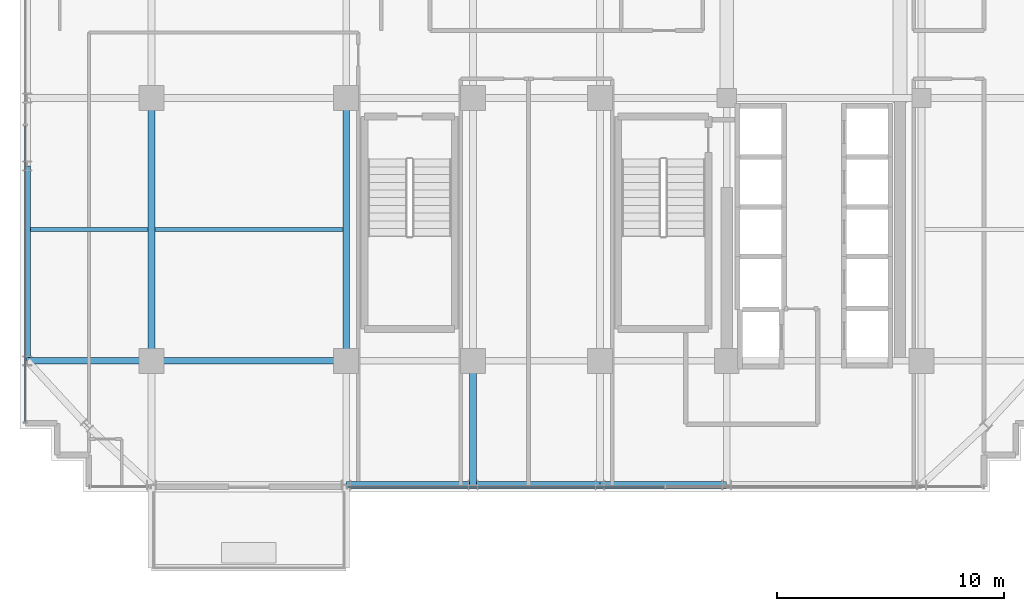
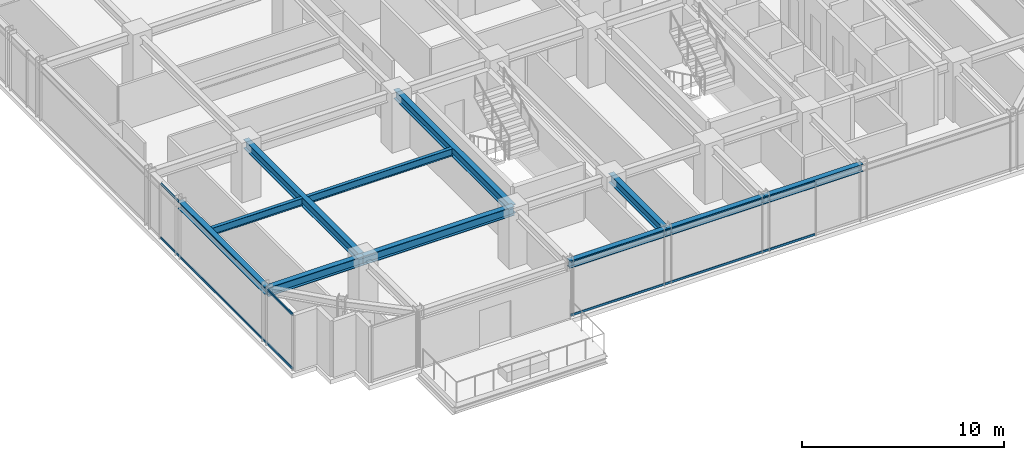
# One storey, part 4 of 31: 11 beams, 4 members, 2 elements without a shape of their own.
"""IFC4 building model written with IfcOpenShell, lengths in metres."""

from ifc_helpers import new_model, si_unit, direction, frame, origin, origin_2d, place, context, subcontext, project, spatial, hollow_rectangle, i_section, extrude, source, transform, mapped, material, material_profile, profile_set, type_object, element, aggregate, save


model = new_model("IFC4")

# Units and contexts
model_context = context("Model", 3, precision=1e-05, world=origin(), true_north=direction((0.0, 1.0)))
body_context = subcontext(model_context, "Body", "Model", "MODEL_VIEW")
ifc_project = project(units=[si_unit("LENGTHUNIT", "METRE"), si_unit("AREAUNIT", "SQUARE_METRE"), si_unit("VOLUMEUNIT", "CUBIC_METRE"), si_unit("PLANEANGLEUNIT", "RADIAN"), si_unit("MASSUNIT", "GRAM", prefix="KILO")], contexts=[model_context])

# Site, building, storey
site_placement = place(None, origin())
site = spatial("IfcSite", under=ifc_project, at=site_placement, CompositionType="ELEMENT")
building_placement = place(site_placement, origin())
building = spatial("IfcBuilding", under=site, at=building_placement, Name="Nahalor Promenade Grand Hotel", CompositionType="ELEMENT")
storey_placement = place(building_placement, frame((0.0, 0.0, 192.800048828125)))
storey = spatial("IfcBuildingStorey", under=building, at=storey_placement, Name="L49", CompositionType="ELEMENT", Elevation=192.800048828125)

# Beams
ifc_material_1 = material(Name="Steel S355JR", Category="steel")
ifc_material_profile_1 = material_profile(ifc_material_1, i_section(OverallWidth=0.3, OverallDepth=0.55, WebThickness=0.015, FlangeThickness=0.029, at=origin_2d()), Name="HEB 550")
ifc_profile_set_1 = profile_set([ifc_material_profile_1], Name="Steel S355JR")
beam_type_1 = type_object("IfcBeamType", Name="Beam-Girder-HEB550", PredefinedType="BEAM", material=ifc_profile_set_1)
shared_shape_1 = source(origin(), body_context, "Body", "SweptSolid", [
    extrude(i_section(OverallWidth=0.3, OverallDepth=0.55, WebThickness=0.015, FlangeThickness=0.029, at=origin_2d()), origin(), (0.0, 0.0, 1.0), 8.60009765625),
])
beam_1_placement = place(storey_placement, frame((-17.0, -17.0, 3.114990234375), z_axis=(1.0, 0.0, 0.0), x_axis=(0.0, 1.0, 0.0)))
element("IfcBeam", 1, at=beam_1_placement, inside=storey, type_object=beam_type_1, Name="BM-L49-GX-0-1", PredefinedType="BEAM", context=body_context, shape_type="MappedRepresentation", body=[
    mapped(shared_shape_1, transform((0.0, 0.0, 0.0), scale=1.0)),
])
shared_shape_2 = source(origin(), body_context, "Body", "SweptSolid", [
    extrude(i_section(OverallWidth=0.3, OverallDepth=0.55, WebThickness=0.015, FlangeThickness=0.029, at=origin_2d()), origin(), (0.0, 0.0, 1.0), 11.60009765625),
])
for number, where, z_axis, x_axis, name in (
    (2, (-17.0, -17.0, 3.114990234375), (0.0, 1.0, 0.0), (-1.0, 0.0, 0.0), "BM-L49-GY-0-1"),
    (3, (-8.39990234375, -17.0, 3.114990234375), (0.0, 1.0, 0.0), (-1.0, 0.0, 0.0), "BM-L49-GY-1-1"),
):
    element("IfcBeam", number, at=place(storey_placement, frame(where, z_axis=z_axis, x_axis=x_axis)), inside=storey, type_object=beam_type_1, Name=name, PredefinedType="BEAM", context=body_context, shape_type="MappedRepresentation", body=[
        mapped(shared_shape_2, transform((0.0, 0.0, 0.0), scale=1.0)),
    ])
ifc_material_profile_2 = material_profile(ifc_material_1, i_section(OverallWidth=0.19, OverallDepth=0.45, WebThickness=0.0094, FlangeThickness=0.0146, at=origin_2d()), Name="IPE 450")
ifc_profile_set_2 = profile_set([ifc_material_profile_2], Name="Steel S355JR")
beam_type_2 = type_object("IfcBeamType", Name="Beam-Joist-IPE450", PredefinedType="JOIST", material=ifc_profile_set_2)
shared_shape_3 = source(origin(), body_context, "Body", "SweptSolid", [
    extrude(i_section(OverallWidth=0.19, OverallDepth=0.45, WebThickness=0.0094, FlangeThickness=0.0146, at=origin_2d()), origin(), (0.0, 0.0, 1.0), 8.300048828125),
])
beam_2_placement = place(storey_placement, frame((-16.85009765625, -11.199951171875, 3.1650390625), z_axis=(1.0, 0.0, 0.0), x_axis=(0.0, 1.0, 0.0)))
element("IfcBeam", 4, at=beam_2_placement, inside=storey, type_object=beam_type_2, Name="BM-L49-JSW-0-1", PredefinedType="JOIST", context=body_context, shape_type="MappedRepresentation", body=[
    mapped(shared_shape_3, transform((0.0, 0.0, 0.0), scale=1.0)),
])
shared_shape_4 = source(origin(), body_context, "Body", "SweptSolid", [
    extrude(i_section(OverallWidth=0.3, OverallDepth=0.55, WebThickness=0.015, FlangeThickness=0.029, at=origin_2d()), origin(), (0.0, 0.0, 1.0), 5.47998046875),
])
for number, where, z_axis, x_axis, name in (
    (5, (-22.47998046875, -17.0, 3.114990234375), (1.0, 0.0, 0.0), (0.0, 1.0, 0.0), "BM-L49-GX-0-0"),
    (6, (-2.800048828125, -22.47998046875, 3.114990234375), (0.0, 1.0, 0.0), (-1.0, 0.0, 0.0), "BM-L49-GY-2-0"),
):
    element("IfcBeam", number, at=place(storey_placement, frame(where, z_axis=z_axis, x_axis=x_axis)), inside=storey, type_object=beam_type_1, Name=name, PredefinedType="BEAM", context=body_context, shape_type="MappedRepresentation", body=[
        mapped(shared_shape_4, transform((0.0, 0.0, 0.0), scale=1.0)),
    ])
shared_shape_5 = source(origin(), body_context, "Body", "SweptSolid", [
    extrude(i_section(OverallWidth=0.19, OverallDepth=0.45, WebThickness=0.0094, FlangeThickness=0.0146, at=origin_2d()), origin(), (0.0, 0.0, 1.0), 5.18017578125),
])
beam_3_placement = place(storey_placement, frame((-22.330078125, -11.199951171875, 3.1650390625), z_axis=(1.0, 0.0, 0.0), x_axis=(0.0, 1.0, 0.0)))
element("IfcBeam", 7, at=beam_3_placement, inside=storey, type_object=beam_type_2, Name="BM-L49-JSW-0-0", PredefinedType="JOIST", context=body_context, shape_type="MappedRepresentation", body=[
    mapped(shared_shape_5, transform((0.0, 0.0, 0.0), scale=1.0)),
])
ifc_material_profile_3 = material_profile(ifc_material_1, i_section(OverallWidth=0.3, OverallDepth=0.45, WebThickness=0.014, FlangeThickness=0.026, at=origin_2d()), Name="HEB 450")
ifc_profile_set_3 = profile_set([ifc_material_profile_3], Name="Steel S355JR")
beam_type_3 = type_object("IfcBeamType", Name="Beam-Spandrel-HEB450", PredefinedType="SPANDREL", material=ifc_profile_set_3)
shared_shape_6 = source(origin(), body_context, "Body", "SweptSolid", [
    extrude(i_section(OverallWidth=0.3, OverallDepth=0.45, WebThickness=0.014, FlangeThickness=0.026, at=origin_2d()), origin(), (0.0, 0.0, 1.0), 8.60009765625),
])
beam_4_placement = place(storey_placement, frame((-22.47998046875, -17.0, 3.1650390625), z_axis=(0.0, 1.0, 0.0), x_axis=(-1.0, 0.0, 0.0)))
element("IfcBeam", 8, at=beam_4_placement, inside=storey, type_object=beam_type_3, Name="BM-L49-SP-W-0", PredefinedType="SPANDREL", context=body_context, shape_type="MappedRepresentation", body=[
    mapped(shared_shape_6, transform((0.0, 0.0, 0.0), scale=1.0)),
])
shared_shape_7 = source(origin(), body_context, "Body", "SweptSolid", [
    extrude(i_section(OverallWidth=0.3, OverallDepth=0.45, WebThickness=0.014, FlangeThickness=0.026, at=origin_2d()), origin(), (0.0, 0.0, 1.0), 5.599853515625),
])
for number, where, z_axis, x_axis, name in (
    (9, (-8.39990234375, -22.47998046875, 3.1650390625), (1.0, 0.0, 0.0), (0.0, 1.0, 0.0), "BM-L49-SP-S-1"),
    (10, (2.800048828125, -22.47998046875, 3.1650390625), (1.0, 0.0, 0.0), (0.0, 1.0, 0.0), "BM-L49-SP-S-3"),
):
    element("IfcBeam", number, at=place(storey_placement, frame(where, z_axis=z_axis, x_axis=x_axis)), inside=storey, type_object=beam_type_3, Name=name, PredefinedType="SPANDREL", context=body_context, shape_type="MappedRepresentation", body=[
        mapped(shared_shape_7, transform((0.0, 0.0, 0.0), scale=1.0)),
    ])
shared_shape_8 = source(origin(), body_context, "Body", "SweptSolid", [
    extrude(i_section(OverallWidth=0.3, OverallDepth=0.45, WebThickness=0.014, FlangeThickness=0.026, at=origin_2d()), origin(), (0.0, 0.0, 1.0), 5.60009765625),
])
beam_5_placement = place(storey_placement, frame((-2.800048828125, -22.47998046875, 3.1650390625), z_axis=(1.0, 0.0, 0.0), x_axis=(0.0, 1.0, 0.0)))
element("IfcBeam", 11, at=beam_5_placement, inside=storey, type_object=beam_type_3, Name="BM-L49-SP-S-2", PredefinedType="SPANDREL", context=body_context, shape_type="MappedRepresentation", body=[
    mapped(shared_shape_8, transform((0.0, 0.0, 0.0), scale=1.0)),
])

# Curtain wall, members
ifc_material_2 = material(Name="Anodised Bronze Aluminium EN AW-6063 T6", Category="aluminium")
curtain_wall_type = type_object("IfcCurtainWallType", Name="CW2 Typical Hotel Flush Bronze Unitised Curtain Wall", PredefinedType="USERDEFINED", material=ifc_material_2)
curtain_wall_1_placement = place(storey_placement, origin())
curtain_wall_1 = element("IfcCurtainWall", 12, at=curtain_wall_1_placement, inside=storey, type_object=curtain_wall_type, Name="L49 Curtain Wall CW-L49-S-3", ObjectType="UNITISED_CURTAIN_WALL", PredefinedType="USERDEFINED")
ifc_material_profile_4 = material_profile(ifc_material_2, hollow_rectangle(XDim=0.065, YDim=0.13, WallThickness=0.004, at=origin_2d()), Name="CWT 65x130x4")
ifc_profile_set_4 = profile_set([ifc_material_profile_4], Name="Anodised Bronze Aluminium EN AW-6063 T6")
member_type = type_object("IfcMemberType", Name="CWT2 Typical Bronze Transom 65x130", PredefinedType="USERDEFINED", material=ifc_profile_set_4)
shared_shape_9 = source(origin(), body_context, "Body", "SweptSolid", [
    extrude(hollow_rectangle(XDim=0.065, YDim=0.13, WallThickness=0.004, at=origin_2d()), origin(), (0.0, 0.0, 1.0), 13.982421875),
])
member_1_placement = place(storey_placement, frame((-8.3349609375, -22.56005859375, 0.06494140625), z_axis=(1.0, 0.0, 0.0), x_axis=(0.0, 1.0, 0.0)))
member_1 = element("IfcMember", 13, at=member_1_placement, type_object=member_type, Name="CW-L49-S-3 Transom 0-0", ObjectType="TRANSOM", PredefinedType="USERDEFINED", context=body_context, shape_type="MappedRepresentation", body=[
    mapped(shared_shape_9, transform((0.0, 0.0, 0.0), scale=1.0)),
])
member_2_placement = place(storey_placement, frame((-8.3349609375, -22.56005859375, 3.324951171875), z_axis=(1.0, 0.0, 0.0), x_axis=(0.0, 1.0, 0.0)))
member_2 = element("IfcMember", 14, at=member_2_placement, type_object=member_type, Name="CW-L49-S-3 Transom 0-1", ObjectType="TRANSOM", PredefinedType="USERDEFINED", context=body_context, shape_type="MappedRepresentation", body=[
    mapped(shared_shape_9, transform((0.0, 0.0, 0.0), scale=1.0)),
])
aggregate(curtain_wall_1, [member_1, member_2])

curtain_wall_2_placement = place(storey_placement, origin())
curtain_wall_2 = element("IfcCurtainWall", 15, at=curtain_wall_2_placement, inside=storey, type_object=curtain_wall_type, Name="L49 Curtain Wall CW-L49-W-1", ObjectType="UNITISED_CURTAIN_WALL", PredefinedType="USERDEFINED")
shared_shape_10 = source(origin(), body_context, "Body", "SweptSolid", [
    extrude(hollow_rectangle(XDim=0.065, YDim=0.13, WallThickness=0.004, at=origin_2d()), origin(), (0.0, 0.0, 1.0), 13.075927734375),
])
member_3_placement = place(storey_placement, frame((-22.56005859375, -19.695068359375, 0.06494140625), z_axis=(0.0, 1.0, 0.0), x_axis=(-1.0, 0.0, 0.0)))
member_3 = element("IfcMember", 16, at=member_3_placement, type_object=member_type, Name="CW-L49-W-1 Transom 0-0", ObjectType="TRANSOM", PredefinedType="USERDEFINED", context=body_context, shape_type="MappedRepresentation", body=[
    mapped(shared_shape_10, transform((0.0, 0.0, 0.0), scale=1.0)),
])
member_4_placement = place(storey_placement, frame((-22.56005859375, -19.695068359375, 3.324951171875), z_axis=(0.0, 1.0, 0.0), x_axis=(-1.0, 0.0, 0.0)))
member_4 = element("IfcMember", 17, at=member_4_placement, type_object=member_type, Name="CW-L49-W-1 Transom 0-1", ObjectType="TRANSOM", PredefinedType="USERDEFINED", context=body_context, shape_type="MappedRepresentation", body=[
    mapped(shared_shape_10, transform((0.0, 0.0, 0.0), scale=1.0)),
])
aggregate(curtain_wall_2, [member_3, member_4])

save(model, "model.ifc")
